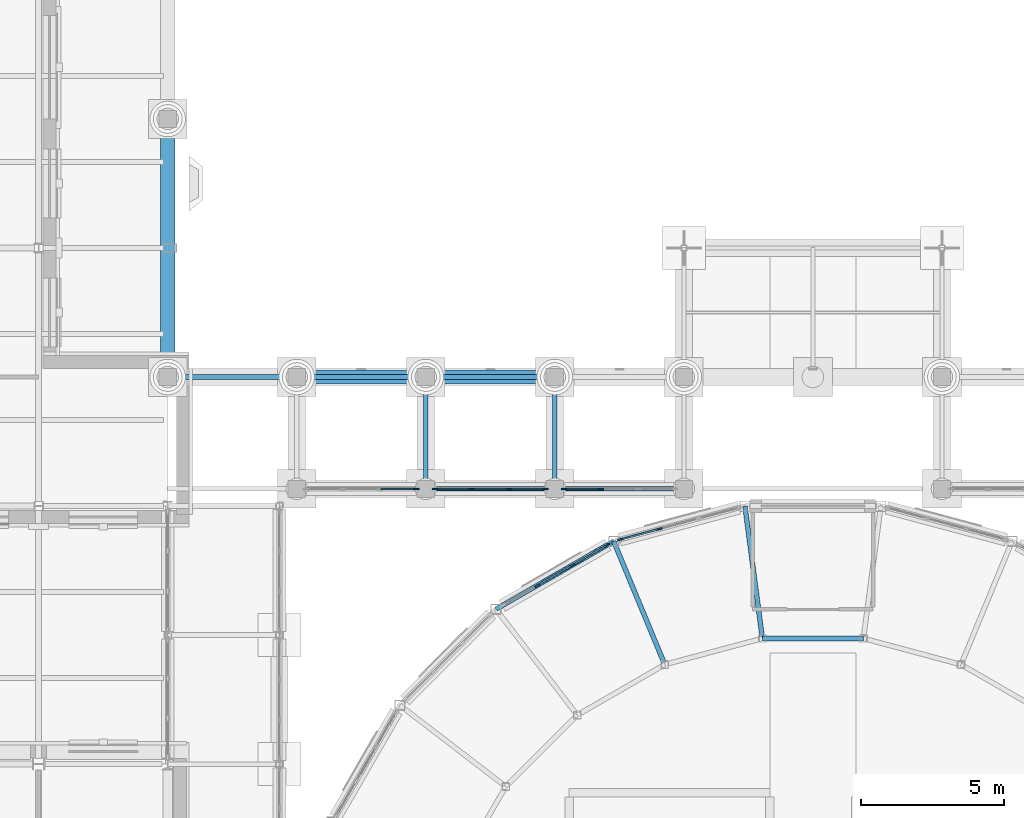
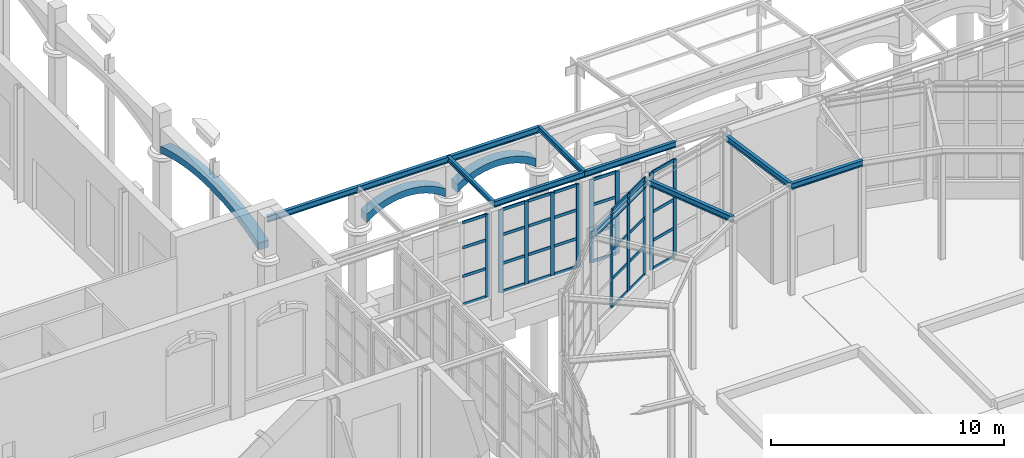
# One storey, part 34 of 106: 44 members, 14 beams, 5 elements without a shape of their own.
"""IFC4 building model written with IfcOpenShell, lengths in metres."""

import ifcopenshell
import ifcopenshell.guid

model = None  # the IFC model being written
_history = None  # IfcOwnerHistory: only IFC2X3 demands one
_inside = {}  # id of a spatial element -> (the spatial element, [elements in it])
_under = {}  # id of a project, library or spatial element -> (it, [spatial elements below it])
_declared = {}  # id of a project -> (the project, [libraries it declares])
_typed = {}  # id of a type object -> (the type object, [elements of that type])
_made_of = {}  # id of a material, layer set ... -> (it, [elements and type objects made of it])


def new_model(schema):
    """Start an empty IFC model of exactly this schema.

    Asked for "IFC4X3", IfcOpenShell would pick the latest addendum, in which some entities
    have other attributes; the version numbers below select the first issue.
    IFC2X3 requires an IfcOwnerHistory on every rooted entity: one is made here for all.
    """
    global model, _history
    if schema == "IFC4X3":
        model = ifcopenshell.file(schema_version=(4, 3, 0, 0))
    else:
        model = ifcopenshell.file(schema=schema)
    _inside.clear()
    _under.clear()
    _declared.clear()
    _typed.clear()
    _made_of.clear()
    _history = None
    if model.schema == "IFC2X3":
        org = make("IfcOrganization", Name="unknown")
        user = make(
            "IfcPersonAndOrganization",
            ThePerson=make("IfcPerson", FamilyName="unknown"),
            TheOrganization=org,
        )
        app = make(
            "IfcApplication",
            ApplicationDeveloper=org,
            Version="unknown",
            ApplicationFullName="unknown",
            ApplicationIdentifier="unknown",
        )
        _history = make(
            "IfcOwnerHistory",
            OwningUser=user,
            OwningApplication=app,
            ChangeAction="ADDED",
            CreationDate=0,
        )
    return model


def make(cls, **values):
    """One entity of the class cls with the attributes given. An attribute that is None is left unset."""
    return model.create_entity(
        cls, **{name: value for name, value in values.items() if value is not None}
    )


def rooted(cls, **values):
    """An entity with a GlobalId (a new one), such as an element, a storey or a relation."""
    return make(cls, GlobalId=ifcopenshell.guid.new(), OwnerHistory=_history, **values)


def si_unit(unit_type, name, prefix=None):
    """IfcSIUnit, for example si_unit("LENGTHUNIT", "METRE", prefix="MILLI")."""
    return make("IfcSIUnit", UnitType=unit_type, Prefix=prefix, Name=name)


def assignment(units):
    """IfcUnitAssignment: the units of a project."""
    return None if units is None else make("IfcUnitAssignment", Units=units)


def point(xyz):
    """IfcCartesianPoint."""
    return None if xyz is None else make("IfcCartesianPoint", Coordinates=xyz)


def direction(xyz):
    """IfcDirection."""
    return None if xyz is None else make("IfcDirection", DirectionRatios=xyz)


def frame(location, z_axis=None, x_axis=None):
    """IfcAxis2Placement3D, a coordinate frame: its origin and axes. An axis left out is left unset."""
    return make(
        "IfcAxis2Placement3D",
        Location=point(location),
        Axis=direction(z_axis),
        RefDirection=direction(x_axis),
    )


def frame_2d(location, x_axis=None):
    """IfcAxis2Placement2D, a coordinate frame in the plane: its origin and x axis."""
    return make(
        "IfcAxis2Placement2D", Location=point(location), RefDirection=direction(x_axis)
    )


def origin():
    """The frame at (0, 0, 0) with its axes left unset."""
    return frame((0.0, 0.0, 0.0))


def origin_2d():
    """The frame at (0, 0) in the plane with its x axis left unset."""
    return frame_2d((0.0, 0.0))


def place(relative_to, where):
    """IfcLocalPlacement: puts the frame where relative to a parent placement (None: the world)."""
    return make(
        "IfcLocalPlacement", PlacementRelTo=relative_to, RelativePlacement=where
    )


def context(
    kind, dimensions, precision=None, world=None, true_north=None, identifier=None
):
    """IfcGeometricRepresentationContext, for example the 3D "Model" context."""
    return make(
        "IfcGeometricRepresentationContext",
        ContextIdentifier=identifier,
        ContextType=kind,
        CoordinateSpaceDimension=dimensions,
        Precision=precision,
        WorldCoordinateSystem=world,
        TrueNorth=true_north,
    )


def subcontext(parent, identifier, kind, view, scale=None):
    """IfcGeometricRepresentationSubContext, for example "Body" below "Model"."""
    return make(
        "IfcGeometricRepresentationSubContext",
        ContextIdentifier=identifier,
        ContextType=kind,
        ParentContext=parent,
        TargetScale=scale,
        TargetView=view,
    )


def project(units=None, contexts=None):
    """IfcProject with its units and contexts."""
    return rooted(
        "IfcProject",
        Name="project",
        RepresentationContexts=contexts,
        UnitsInContext=assignment(units),
    )


def spatial(cls, under=None, at=None, **own):
    """A site, building, storey or space (cls), placed at a placement, below another one or the project."""
    s = rooted(cls, ObjectPlacement=at, **own)
    if under is not None:
        _under.setdefault(under.id(), (under, []))[1].append(s)
    return s


def polyline(points):
    """IfcPolyline through the points."""
    return make("IfcPolyline", Points=[point(p) for p in points])


def profile(cls, at=None, kind="AREA", **sizes):
    """A parametric profile (cls). Its sizes go by their IFC names, for example OverallWidth=200.0."""
    return make(cls, ProfileType=kind, Position=at, **sizes)


def rectangle(**sizes):
    """IfcRectangleProfileDef."""
    return profile("IfcRectangleProfileDef", **sizes)


def i_section(**sizes):
    """IfcIShapeProfileDef."""
    return profile("IfcIShapeProfileDef", **sizes)


def outline(outer, holes=None, kind="AREA"):
    """IfcArbitraryClosedProfileDef: a profile drawn as a closed curve; with holes, ...WithVoids."""
    if holes is None:
        return make("IfcArbitraryClosedProfileDef", ProfileType=kind, OuterCurve=outer)
    return make(
        "IfcArbitraryProfileDefWithVoids",
        ProfileType=kind,
        OuterCurve=outer,
        InnerCurves=holes,
    )


def extrude(swept, where, along, depth):
    """IfcExtrudedAreaSolid: the profile swept, set in the frame where, extruded along a direction by depth."""
    return make(
        "IfcExtrudedAreaSolid",
        SweptArea=swept,
        Position=where,
        ExtrudedDirection=direction(along),
        Depth=depth,
    )


def shape(context_of_items, identifier, shape_type, items):
    """IfcShapeRepresentation: the items that make up one representation, for example the "Body"."""
    return make(
        "IfcShapeRepresentation",
        ContextOfItems=context_of_items,
        RepresentationIdentifier=identifier,
        RepresentationType=shape_type,
        Items=items,
    )


def material(Name=None, Category=None):
    """IfcMaterial."""
    return make("IfcMaterial", Name=Name, Category=Category)


def layer(
    of_material, thickness, ventilated=None, Name=None, Category=None, Priority=None
):
    """IfcMaterialLayer: one layer of a wall or slab, of a material (None: an air gap)."""
    return make(
        "IfcMaterialLayer",
        Material=of_material,
        LayerThickness=thickness,
        IsVentilated=ventilated,
        Name=Name,
        Category=Category,
        Priority=Priority,
    )


def layer_set(layers, Name=None):
    """IfcMaterialLayerSet."""
    return make("IfcMaterialLayerSet", MaterialLayers=layers, LayerSetName=Name)


def material_profile(
    of_material, cross_section, Name=None, Category=None, Priority=None
):
    """IfcMaterialProfile: a cross section and its material."""
    return make(
        "IfcMaterialProfile",
        Name=Name,
        Material=of_material,
        Profile=cross_section,
        Priority=Priority,
        Category=Category,
    )


def profile_set(profiles, Name=None, composite=None):
    """IfcMaterialProfileSet."""
    return make(
        "IfcMaterialProfileSet",
        Name=Name,
        MaterialProfiles=profiles,
        CompositeProfile=composite,
    )


def made_of(thing, what):
    """Note that an element or type object is made of a material, layer set ...; save() writes the relation."""
    if what is not None:
        _made_of.setdefault(what.id(), (what, []))[1].append(thing)
    return thing


def type_object(cls, material=None, **own):
    """A type object (cls), such as IfcWallType, which elements share."""
    return made_of(rooted(cls, **own), material)


def element(
    cls,
    number,
    at=None,
    inside=None,
    cuts=None,
    type_object=None,
    material=None,
    context=None,
    identifier="Body",
    shape_type=None,
    held_by="IfcProductDefinitionShape",
    body=None,
    shapes=None,
    **own,
):
    """One element of the class cls, such as IfcWall. Its Tag is "e" and its number.

    at: its placement. inside: the storey or other place that contains it. cuts: it is an
    opening in that element (IfcRelVoidsElement). A single representation is given by context,
    identifier, shape_type and body (its items); several are given by shapes. held_by: the class
    of the entity that holds the representations. save() writes the other relations.
    """
    e = rooted(cls, Tag="e%d" % number, ObjectPlacement=at, **own)
    if body is not None:
        shapes = [shape(context, identifier, shape_type, body)]
    if shapes is not None:
        e.Representation = make(held_by, Representations=shapes)
    if inside is not None:
        _inside.setdefault(inside.id(), (inside, []))[1].append(e)
    if cuts is not None:
        rooted(
            "IfcRelVoidsElement", RelatingBuildingElement=cuts, RelatedOpeningElement=e
        )
    if type_object is not None:
        _typed.setdefault(type_object.id(), (type_object, []))[1].append(e)
    return made_of(e, material)


def aggregate(whole, parts):
    """IfcRelAggregates: a whole, such as a stair, and the parts it consists of."""
    return rooted("IfcRelAggregates", RelatingObject=whole, RelatedObjects=parts)


def save(model, path):
    """Write the relations noted so far, then the file.

    IfcRelAggregates (storeys below a building ...), IfcRelContainedInSpatialStructure (elements
    in a storey), IfcRelDefinesByType, IfcRelAssociatesMaterial and IfcRelDeclares: one each for
    every whole, place, type object, material and project.
    """
    for whole, parts in _under.values():
        aggregate(whole, parts)
    for where, things in _inside.values():
        rooted(
            "IfcRelContainedInSpatialStructure",
            RelatedElements=things,
            RelatingStructure=where,
        )
    for kind, things in _typed.values():
        rooted("IfcRelDefinesByType", RelatedObjects=things, RelatingType=kind)
    for what, things in _made_of.values():
        rooted("IfcRelAssociatesMaterial", RelatedObjects=things, RelatingMaterial=what)
    for by, libraries in _declared.values():
        rooted("IfcRelDeclares", RelatingContext=by, RelatedDefinitions=libraries)
    model.write(path)


model = new_model("IFC4")

# Units and contexts
model_context = context("Model", 3, precision=1e-05, world=origin(), true_north=direction((0.0, 1.0)))
body_context = subcontext(model_context, "Body", "Model", "MODEL_VIEW")
ifc_project = project(units=[si_unit("LENGTHUNIT", "METRE"), si_unit("AREAUNIT", "SQUARE_METRE"), si_unit("VOLUMEUNIT", "CUBIC_METRE"), si_unit("PLANEANGLEUNIT", "RADIAN"), si_unit("MASSUNIT", "GRAM", prefix="KILO")], contexts=[model_context])

# Site, building, storey
site_placement = place(None, origin())
site = spatial("IfcSite", under=ifc_project, at=site_placement, CompositionType="ELEMENT")
building_placement = place(site_placement, origin())
building = spatial("IfcBuilding", under=site, at=building_placement, Name="Hortulan Conservatory and Botanical Research Centre", CompositionType="ELEMENT")
storey_placement = place(building_placement, origin())
storey = spatial("IfcBuildingStorey", under=building, at=storey_placement, Name="L00", CompositionType="ELEMENT", Elevation=0.0)

# Beams
ifc_material_1 = material(Name="Steel Grade 300PLUS (AS/NZS 3679.1, 280 MPa minimum yield)", Category="steel")
ifc_material_profile_1 = material_profile(ifc_material_1, i_section(OverallWidth=0.14599609375, OverallDepth=0.251953125, WebThickness=0.006103515625, FlangeThickness=0.008544921875, FilletRadius=0.0087890625, at=origin_2d()), Name="250UB31.4")
ifc_profile_set_1 = profile_set([ifc_material_profile_1], Name="Steel Grade 300PLUS (AS/NZS 3679.1, 280 MPa minimum yield)")
beam_type_1 = type_object("IfcBeamType", Name="Arcade Cross Beam 250UB31.4", PredefinedType="BEAM", material=ifc_profile_set_1)
for number, where, z_axis, x_axis, name in (
    (1, (40.5, 36.60009765625, 5.674072265625), (0.0, 1.0, 0.0), (-1.0, 0.0, 0.0), "Arcade cross beam 20"),
    (2, (45.0, 36.60009765625, 5.674072265625), (0.0, 1.0, 0.0), (-1.0, 0.0, 0.0), "Arcade cross beam 21"),
):
    element("IfcBeam", number, at=place(storey_placement, frame(where, z_axis=z_axis, x_axis=x_axis)), inside=storey, type_object=beam_type_1, Name=name, PredefinedType="BEAM", context=body_context, shape_type="SweptSolid", body=[
        extrude(i_section(OverallWidth=0.14599609375, OverallDepth=0.251953125, WebThickness=0.006103515625, FlangeThickness=0.008544921875, FilletRadius=0.0087890625, at=origin_2d()), origin(), (0.0, 0.0, 1.0), 3.89990234375),
    ])
ifc_material_profile_2 = material_profile(ifc_material_1, i_section(OverallWidth=0.1650390625, OverallDepth=0.303955078125, WebThickness=0.006103515625, FlangeThickness=0.01025390625, FilletRadius=0.011474609375, at=origin_2d()), Name="310UB40.4")
ifc_profile_set_2 = profile_set([ifc_material_profile_2], Name="Steel Grade 300PLUS (AS/NZS 3679.1, 280 MPa minimum yield)")
beam_type_2 = type_object("IfcBeamType", Name="Arcade Front Beam 310UB40.4", PredefinedType="BEAM", material=ifc_profile_set_2)
for number, where, z_axis, x_axis, name in (
    (3, (31.5, 40.5, 5.64794921875), (1.0, 0.0, 0.0), (0.0, 1.0, 0.0), "Arcade front beam 01"),
    (4, (36.0, 40.5, 5.64794921875), (1.0, 0.0, 0.0), (0.0, 1.0, 0.0), "Arcade front beam 02"),
    (5, (40.5, 40.5, 5.64794921875), (1.0, 0.0, 0.0), (0.0, 1.0, 0.0), "Arcade front beam 03"),
):
    element("IfcBeam", number, at=place(storey_placement, frame(where, z_axis=z_axis, x_axis=x_axis)), inside=storey, type_object=beam_type_2, Name=name, PredefinedType="BEAM", context=body_context, shape_type="SweptSolid", body=[
        extrude(i_section(OverallWidth=0.1650390625, OverallDepth=0.303955078125, WebThickness=0.006103515625, FlangeThickness=0.01025390625, FilletRadius=0.011474609375, at=origin_2d()), origin(), (0.0, 0.0, 1.0), 4.5),
    ])
ifc_material_profile_3 = material_profile(ifc_material_1, i_section(OverallWidth=0.14892578125, OverallDepth=0.298095703125, WebThickness=0.005615234375, FlangeThickness=0.008056640625, FilletRadius=0.012939453125, at=origin_2d()), Name="310UB32.0")
ifc_profile_set_3 = profile_set([ifc_material_profile_3], Name="Steel Grade 300PLUS (AS/NZS 3679.1, 280 MPa minimum yield)")
beam_type_3 = type_object("IfcBeamType", Name="Arcade Rear Beam 310UB32.0", PredefinedType="BEAM", material=ifc_profile_set_3)
for number, where, z_axis, x_axis, name in (
    (6, (40.5, 36.60009765625, 5.65087890625), (1.0, 0.0, 0.0), (0.0, 1.0, 0.0), "Arcade rear beam 12"),
    (7, (45.0, 36.60009765625, 5.65087890625), (1.0, 0.0, 0.0), (0.0, 1.0, 0.0), "Arcade rear beam 13"),
):
    element("IfcBeam", number, at=place(storey_placement, frame(where, z_axis=z_axis, x_axis=x_axis)), inside=storey, type_object=beam_type_3, Name=name, PredefinedType="BEAM", context=body_context, shape_type="SweptSolid", body=[
        extrude(i_section(OverallWidth=0.14892578125, OverallDepth=0.298095703125, WebThickness=0.005615234375, FlangeThickness=0.008056640625, FilletRadius=0.012939453125, at=origin_2d()), origin(), (0.0, 0.0, 1.0), 4.5),
    ])

# Curtain wall, members
ifc_material_2 = material(Name="Bronze-finished aluminium", Category="aluminium")
ifc_layer_1 = layer(ifc_material_2, 0.10009765625)
ifc_layer_set_1 = layer_set([ifc_layer_1], Name="Bronze-framed Curtain Wall 1500 module")
curtain_wall_type = type_object("IfcCurtainWallType", Name="Bronze-framed Curtain Wall 1500 module", PredefinedType="NOTDEFINED", material=ifc_layer_set_1)
curtain_wall_1_placement = place(storey_placement, origin())
curtain_wall_1 = element("IfcCurtainWall", 8, at=curtain_wall_1_placement, inside=storey, type_object=curtain_wall_type, Name="Curtain wall", PredefinedType="NOTDEFINED")
ifc_material_profile_4 = material_profile(ifc_material_2, rectangle(XDim=0.06005859375, YDim=0.199951171875, at=origin_2d()), Name="Bronze Mullion 60x200")
ifc_profile_set_4 = profile_set([ifc_material_profile_4], Name="Bronze-finished aluminium")
member_type_1 = type_object("IfcMemberType", Name="Bronze Mullion 60x200", PredefinedType="MULLION", material=ifc_profile_set_4)
member_1_placement = place(storey_placement, frame((47.2880859375, 34.83642578125, 0.89990234375), z_axis=(0.0, 0.0, 1.0), x_axis=(-0.258831936284, 0.965922372015, 0.0)))
member_1 = element("IfcMember", 9, at=member_1_placement, type_object=member_type_1, Name="CW1 mullion 1", PredefinedType="MULLION", context=body_context, shape_type="SweptSolid", body=[
    extrude(rectangle(XDim=0.06005859375, YDim=0.199951171875, at=origin_2d()), origin(), (0.0, 0.0, 1.0), 5.10009765625),
])
member_2_placement = place(storey_placement, frame((48.64697265625, 35.20068359375, 0.89990234375), z_axis=(0.0, 0.0, 1.0), x_axis=(-0.258831936284, 0.965922372015, 0.0)))
member_2 = element("IfcMember", 10, at=member_2_placement, type_object=member_type_1, Name="CW1 mullion 2", PredefinedType="MULLION", context=body_context, shape_type="SweptSolid", body=[
    extrude(rectangle(XDim=0.06005859375, YDim=0.199951171875, at=origin_2d()), origin(), (0.0, 0.0, 1.0), 5.10009765625),
])

curtain_wall_2_placement = place(storey_placement, origin())
curtain_wall_2 = element("IfcCurtainWall", 11, at=curtain_wall_2_placement, inside=storey, type_object=curtain_wall_type, Name="Curtain wall", PredefinedType="NOTDEFINED")
member_3_placement = place(storey_placement, frame((44.385009765625, 33.2333984375, 0.89990234375), z_axis=(0.0, 0.0, 1.0), x_axis=(-0.499981160235, 0.866036280655, 0.0)))
member_3 = element("IfcMember", 12, at=member_3_placement, type_object=member_type_1, Name="CW1 mullion 2", PredefinedType="MULLION", context=body_context, shape_type="SweptSolid", body=[
    extrude(rectangle(XDim=0.06005859375, YDim=0.199951171875, at=origin_2d()), origin(), (0.0, 0.0, 1.0), 5.10009765625),
])
member_4_placement = place(storey_placement, frame((45.614990234375, 33.943603515625, 0.89990234375), z_axis=(0.0, 0.0, 1.0), x_axis=(-0.499981160235, 0.866036280655, 0.0)))
member_4 = element("IfcMember", 13, at=member_4_placement, type_object=member_type_1, Name="CW1 mullion 3", PredefinedType="MULLION", context=body_context, shape_type="SweptSolid", body=[
    extrude(rectangle(XDim=0.06005859375, YDim=0.199951171875, at=origin_2d()), origin(), (0.0, 0.0, 1.0), 5.10009765625),
])
member_5_placement = place(storey_placement, frame((46.81884765625, 34.638671875, 0.89990234375), z_axis=(0.0, 0.0, 1.0), x_axis=(-0.499981160235, 0.866036280655, 0.0)))
member_5 = element("IfcMember", 14, at=member_5_placement, type_object=member_type_1, Name="CW1 mullion 4", PredefinedType="MULLION", context=body_context, shape_type="SweptSolid", body=[
    extrude(rectangle(XDim=0.06005859375, YDim=0.199951171875, at=origin_2d()), origin(), (0.0, 0.0, 1.0), 5.10009765625),
])

# Curtain wall, member
curtain_wall_3_placement = place(storey_placement, origin())
curtain_wall_3 = element("IfcCurtainWall", 15, at=curtain_wall_3_placement, inside=storey, type_object=curtain_wall_type, Name="Curtain wall", PredefinedType="NOTDEFINED")
member_6_placement = place(storey_placement, frame((40.169921875, 36.60009765625, 0.89990234375), z_axis=(0.0, 0.0, 1.0), x_axis=(0.0, 1.0, 0.0)))
member_6 = element("IfcMember", 16, at=member_6_placement, type_object=member_type_1, Name="CW1 mullion 4", PredefinedType="MULLION", context=body_context, shape_type="SweptSolid", body=[
    extrude(rectangle(XDim=0.06005859375, YDim=0.199951171875, at=origin_2d()), origin(), (0.0, 0.0, 1.0), 4.340087890625),
])

# Curtain wall, members
curtain_wall_4_placement = place(storey_placement, origin())
curtain_wall_4 = element("IfcCurtainWall", 17, at=curtain_wall_4_placement, inside=storey, type_object=curtain_wall_type, Name="Curtain wall", PredefinedType="NOTDEFINED")
member_7_placement = place(storey_placement, frame((40.830078125, 36.60009765625, 0.89990234375), z_axis=(0.0, 0.0, 1.0), x_axis=(0.0, 1.0, 0.0)))
member_7 = element("IfcMember", 18, at=member_7_placement, type_object=member_type_1, Name="CW1 mullion 1", PredefinedType="MULLION", context=body_context, shape_type="SweptSolid", body=[
    extrude(rectangle(XDim=0.06005859375, YDim=0.199951171875, at=origin_2d()), origin(), (0.0, 0.0, 1.0), 4.340087890625),
])
member_8_placement = place(storey_placement, frame((42.10009765625, 36.60009765625, 0.89990234375), z_axis=(0.0, 0.0, 1.0), x_axis=(0.0, 1.0, 0.0)))
member_8 = element("IfcMember", 19, at=member_8_placement, type_object=member_type_1, Name="CW1 mullion 2", PredefinedType="MULLION", context=body_context, shape_type="SweptSolid", body=[
    extrude(rectangle(XDim=0.06005859375, YDim=0.199951171875, at=origin_2d()), origin(), (0.0, 0.0, 1.0), 4.340087890625),
])
member_9_placement = place(storey_placement, frame((43.39990234375, 36.60009765625, 0.89990234375), z_axis=(0.0, 0.0, 1.0), x_axis=(0.0, 1.0, 0.0)))
member_9 = element("IfcMember", 20, at=member_9_placement, type_object=member_type_1, Name="CW1 mullion 3", PredefinedType="MULLION", context=body_context, shape_type="SweptSolid", body=[
    extrude(rectangle(XDim=0.06005859375, YDim=0.199951171875, at=origin_2d()), origin(), (0.0, 0.0, 1.0), 4.340087890625),
])
member_10_placement = place(storey_placement, frame((44.669921875, 36.60009765625, 0.89990234375), z_axis=(0.0, 0.0, 1.0), x_axis=(0.0, 1.0, 0.0)))
member_10 = element("IfcMember", 21, at=member_10_placement, type_object=member_type_1, Name="CW1 mullion 4", PredefinedType="MULLION", context=body_context, shape_type="SweptSolid", body=[
    extrude(rectangle(XDim=0.06005859375, YDim=0.199951171875, at=origin_2d()), origin(), (0.0, 0.0, 1.0), 4.340087890625),
])

curtain_wall_5_placement = place(storey_placement, origin())
curtain_wall_5 = element("IfcCurtainWall", 22, at=curtain_wall_5_placement, inside=storey, type_object=curtain_wall_type, Name="Curtain wall", PredefinedType="NOTDEFINED")
member_11_placement = place(storey_placement, frame((45.330078125, 36.60009765625, 0.89990234375), z_axis=(0.0, 0.0, 1.0), x_axis=(0.0, 1.0, 0.0)))
member_11 = element("IfcMember", 23, at=member_11_placement, type_object=member_type_1, Name="CW1 mullion 1", PredefinedType="MULLION", context=body_context, shape_type="SweptSolid", body=[
    extrude(rectangle(XDim=0.06005859375, YDim=0.199951171875, at=origin_2d()), origin(), (0.0, 0.0, 1.0), 4.340087890625),
])
member_12_placement = place(storey_placement, frame((46.60009765625, 36.60009765625, 0.89990234375), z_axis=(0.0, 0.0, 1.0), x_axis=(0.0, 1.0, 0.0)))
member_12 = element("IfcMember", 24, at=member_12_placement, type_object=member_type_1, Name="CW1 mullion 2", PredefinedType="MULLION", context=body_context, shape_type="SweptSolid", body=[
    extrude(rectangle(XDim=0.06005859375, YDim=0.199951171875, at=origin_2d()), origin(), (0.0, 0.0, 1.0), 4.340087890625),
])

# Member
ifc_material_profile_5 = material_profile(ifc_material_2, rectangle(XDim=0.06005859375, YDim=0.14990234375, at=origin_2d()), Name="Bronze Transom 60x150")
ifc_profile_set_5 = profile_set([ifc_material_profile_5], Name="Bronze-finished aluminium")
member_type_2 = type_object("IfcMemberType", Name="Bronze Transom 60x150", PredefinedType="USERDEFINED", material=ifc_profile_set_5)
member_13_placement = place(storey_placement, frame((47.31689453125, 34.84423828125, 0.929931640625), z_axis=(0.965921351189, 0.258835745824, 0.0), x_axis=(-0.258835745824, 0.965921351189, 0.0)))
member_13 = element("IfcMember", 25, at=member_13_placement, type_object=member_type_2, Name="CW1 transom 1.1", ObjectType="TRANSOM", PredefinedType="USERDEFINED", context=body_context, shape_type="SweptSolid", body=[
    extrude(rectangle(XDim=0.06005859375, YDim=0.14990234375, at=origin_2d()), origin(), (0.0, 0.0, 1.0), 1.346923828125),
])

member_14_placement = place(storey_placement, frame((47.31689453125, 34.84423828125, 2.39990234375), z_axis=(0.965921351189, 0.258835745824, 0.0), x_axis=(-0.258835745824, 0.965921351189, 0.0)))
member_14 = element("IfcMember", 26, at=member_14_placement, type_object=member_type_2, Name="CW1 transom 1.2", ObjectType="TRANSOM", PredefinedType="USERDEFINED", context=body_context, shape_type="SweptSolid", body=[
    extrude(rectangle(XDim=0.06005859375, YDim=0.14990234375, at=origin_2d()), origin(), (0.0, 0.0, 1.0), 1.346923828125),
])

member_15_placement = place(storey_placement, frame((47.31689453125, 34.84423828125, 3.89990234375), z_axis=(0.965921351189, 0.258835745824, 0.0), x_axis=(-0.258835745824, 0.965921351189, 0.0)))
member_15 = element("IfcMember", 27, at=member_15_placement, type_object=member_type_2, Name="CW1 transom 1.3", ObjectType="TRANSOM", PredefinedType="USERDEFINED", context=body_context, shape_type="SweptSolid", body=[
    extrude(rectangle(XDim=0.06005859375, YDim=0.14990234375, at=origin_2d()), origin(), (0.0, 0.0, 1.0), 1.346923828125),
])

member_16_placement = place(storey_placement, frame((47.31689453125, 34.84423828125, 5.969970703125), z_axis=(0.965921351189, 0.258835745824, 0.0), x_axis=(-0.258835745824, 0.965921351189, 0.0)))
member_16 = element("IfcMember", 28, at=member_16_placement, type_object=member_type_2, Name="CW1 transom 1.4", ObjectType="TRANSOM", PredefinedType="USERDEFINED", context=body_context, shape_type="SweptSolid", body=[
    extrude(rectangle(XDim=0.06005859375, YDim=0.14990234375, at=origin_2d()), origin(), (0.0, 0.0, 1.0), 1.346923828125),
])

aggregate(curtain_wall_1, [member_1, member_2, member_13, member_14, member_15, member_16])

member_17_placement = place(storey_placement, frame((44.4111328125, 33.24853515625, 0.929931640625), z_axis=(0.866036107898, 0.499981459473, 0.0), x_axis=(-0.499981459473, 0.866036107898, 0.0)))
member_17 = element("IfcMember", 29, at=member_17_placement, type_object=member_type_2, Name="CW1 transom 2.1", ObjectType="TRANSOM", PredefinedType="USERDEFINED", context=body_context, shape_type="SweptSolid", body=[
    extrude(rectangle(XDim=0.06005859375, YDim=0.14990234375, at=origin_2d()), origin(), (0.0, 0.0, 1.0), 1.35986328125),
])

member_18_placement = place(storey_placement, frame((44.4111328125, 33.24853515625, 2.39990234375), z_axis=(0.866036107898, 0.499981459473, 0.0), x_axis=(-0.499981459473, 0.866036107898, 0.0)))
member_18 = element("IfcMember", 30, at=member_18_placement, type_object=member_type_2, Name="CW1 transom 2.2", ObjectType="TRANSOM", PredefinedType="USERDEFINED", context=body_context, shape_type="SweptSolid", body=[
    extrude(rectangle(XDim=0.06005859375, YDim=0.14990234375, at=origin_2d()), origin(), (0.0, 0.0, 1.0), 1.35986328125),
])

member_19_placement = place(storey_placement, frame((44.4111328125, 33.24853515625, 3.89990234375), z_axis=(0.866036107898, 0.499981459473, 0.0), x_axis=(-0.499981459473, 0.866036107898, 0.0)))
member_19 = element("IfcMember", 31, at=member_19_placement, type_object=member_type_2, Name="CW1 transom 2.3", ObjectType="TRANSOM", PredefinedType="USERDEFINED", context=body_context, shape_type="SweptSolid", body=[
    extrude(rectangle(XDim=0.06005859375, YDim=0.14990234375, at=origin_2d()), origin(), (0.0, 0.0, 1.0), 1.35986328125),
])

member_20_placement = place(storey_placement, frame((44.4111328125, 33.24853515625, 5.969970703125), z_axis=(0.866036107898, 0.499981459473, 0.0), x_axis=(-0.499981459473, 0.866036107898, 0.0)))
member_20 = element("IfcMember", 32, at=member_20_placement, type_object=member_type_2, Name="CW1 transom 2.4", ObjectType="TRANSOM", PredefinedType="USERDEFINED", context=body_context, shape_type="SweptSolid", body=[
    extrude(rectangle(XDim=0.06005859375, YDim=0.14990234375, at=origin_2d()), origin(), (0.0, 0.0, 1.0), 1.35986328125),
])

member_21_placement = place(storey_placement, frame((45.640869140625, 33.95849609375, 0.929931640625), z_axis=(0.866066400931, 0.499928984136, 0.0), x_axis=(-0.499928984136, 0.866066400931, 0.0)))
member_21 = element("IfcMember", 33, at=member_21_placement, type_object=member_type_2, Name="CW1 transom 3.1", ObjectType="TRANSOM", PredefinedType="USERDEFINED", context=body_context, shape_type="SweptSolid", body=[
    extrude(rectangle(XDim=0.06005859375, YDim=0.14990234375, at=origin_2d()), origin(), (0.0, 0.0, 1.0), 1.330322265625),
])

member_22_placement = place(storey_placement, frame((45.640869140625, 33.95849609375, 2.39990234375), z_axis=(0.866066400931, 0.499928984136, 0.0), x_axis=(-0.499928984136, 0.866066400931, 0.0)))
member_22 = element("IfcMember", 34, at=member_22_placement, type_object=member_type_2, Name="CW1 transom 3.2", ObjectType="TRANSOM", PredefinedType="USERDEFINED", context=body_context, shape_type="SweptSolid", body=[
    extrude(rectangle(XDim=0.06005859375, YDim=0.14990234375, at=origin_2d()), origin(), (0.0, 0.0, 1.0), 1.330322265625),
])

member_23_placement = place(storey_placement, frame((45.640869140625, 33.95849609375, 3.89990234375), z_axis=(0.866066400931, 0.499928984136, 0.0), x_axis=(-0.499928984136, 0.866066400931, 0.0)))
member_23 = element("IfcMember", 35, at=member_23_placement, type_object=member_type_2, Name="CW1 transom 3.3", ObjectType="TRANSOM", PredefinedType="USERDEFINED", context=body_context, shape_type="SweptSolid", body=[
    extrude(rectangle(XDim=0.06005859375, YDim=0.14990234375, at=origin_2d()), origin(), (0.0, 0.0, 1.0), 1.330322265625),
])

member_24_placement = place(storey_placement, frame((45.640869140625, 33.95849609375, 5.969970703125), z_axis=(0.866066400931, 0.499928984136, 0.0), x_axis=(-0.499928984136, 0.866066400931, 0.0)))
member_24 = element("IfcMember", 36, at=member_24_placement, type_object=member_type_2, Name="CW1 transom 3.4", ObjectType="TRANSOM", PredefinedType="USERDEFINED", context=body_context, shape_type="SweptSolid", body=[
    extrude(rectangle(XDim=0.06005859375, YDim=0.14990234375, at=origin_2d()), origin(), (0.0, 0.0, 1.0), 1.330322265625),
])

aggregate(curtain_wall_2, [member_3, member_4, member_5, member_17, member_18, member_19, member_20, member_21, member_22, member_23, member_24])

member_25_placement = place(storey_placement, frame((38.929931640625, 36.60009765625, 0.929931640625), z_axis=(1.0, 0.0, 0.0), x_axis=(0.0, 1.0, 0.0)))
member_25 = element("IfcMember", 37, at=member_25_placement, type_object=member_type_2, Name="CW1 transom 3.1", ObjectType="TRANSOM", PredefinedType="USERDEFINED", context=body_context, shape_type="SweptSolid", body=[
    extrude(rectangle(XDim=0.06005859375, YDim=0.14990234375, at=origin_2d()), origin(), (0.0, 0.0, 1.0), 1.2099609375),
])

member_26_placement = place(storey_placement, frame((38.929931640625, 36.60009765625, 2.39990234375), z_axis=(1.0, 0.0, 0.0), x_axis=(0.0, 1.0, 0.0)))
member_26 = element("IfcMember", 38, at=member_26_placement, type_object=member_type_2, Name="CW1 transom 3.2", ObjectType="TRANSOM", PredefinedType="USERDEFINED", context=body_context, shape_type="SweptSolid", body=[
    extrude(rectangle(XDim=0.06005859375, YDim=0.14990234375, at=origin_2d()), origin(), (0.0, 0.0, 1.0), 1.2099609375),
])

member_27_placement = place(storey_placement, frame((38.929931640625, 36.60009765625, 3.89990234375), z_axis=(1.0, 0.0, 0.0), x_axis=(0.0, 1.0, 0.0)))
member_27 = element("IfcMember", 39, at=member_27_placement, type_object=member_type_2, Name="CW1 transom 3.3", ObjectType="TRANSOM", PredefinedType="USERDEFINED", context=body_context, shape_type="SweptSolid", body=[
    extrude(rectangle(XDim=0.06005859375, YDim=0.14990234375, at=origin_2d()), origin(), (0.0, 0.0, 1.0), 1.2099609375),
])

member_28_placement = place(storey_placement, frame((38.929931640625, 36.60009765625, 5.2099609375), z_axis=(1.0, 0.0, 0.0), x_axis=(0.0, 1.0, 0.0)))
member_28 = element("IfcMember", 40, at=member_28_placement, type_object=member_type_2, Name="CW1 transom 3.4", ObjectType="TRANSOM", PredefinedType="USERDEFINED", context=body_context, shape_type="SweptSolid", body=[
    extrude(rectangle(XDim=0.06005859375, YDim=0.14990234375, at=origin_2d()), origin(), (0.0, 0.0, 1.0), 1.2099609375),
])

aggregate(curtain_wall_3, [member_6, member_25, member_26, member_27, member_28])

member_29_placement = place(storey_placement, frame((40.860107421875, 36.60009765625, 0.929931640625), z_axis=(1.0, 0.0, 0.0), x_axis=(0.0, 1.0, 0.0)))
member_29 = element("IfcMember", 41, at=member_29_placement, type_object=member_type_2, Name="CW1 transom 1.1", ObjectType="TRANSOM", PredefinedType="USERDEFINED", context=body_context, shape_type="SweptSolid", body=[
    extrude(rectangle(XDim=0.06005859375, YDim=0.14990234375, at=origin_2d()), origin(), (0.0, 0.0, 1.0), 1.2099609375),
])

member_30_placement = place(storey_placement, frame((40.860107421875, 36.60009765625, 2.39990234375), z_axis=(1.0, 0.0, 0.0), x_axis=(0.0, 1.0, 0.0)))
member_30 = element("IfcMember", 42, at=member_30_placement, type_object=member_type_2, Name="CW1 transom 1.2", ObjectType="TRANSOM", PredefinedType="USERDEFINED", context=body_context, shape_type="SweptSolid", body=[
    extrude(rectangle(XDim=0.06005859375, YDim=0.14990234375, at=origin_2d()), origin(), (0.0, 0.0, 1.0), 1.2099609375),
])

member_31_placement = place(storey_placement, frame((40.860107421875, 36.60009765625, 3.89990234375), z_axis=(1.0, 0.0, 0.0), x_axis=(0.0, 1.0, 0.0)))
member_31 = element("IfcMember", 43, at=member_31_placement, type_object=member_type_2, Name="CW1 transom 1.3", ObjectType="TRANSOM", PredefinedType="USERDEFINED", context=body_context, shape_type="SweptSolid", body=[
    extrude(rectangle(XDim=0.06005859375, YDim=0.14990234375, at=origin_2d()), origin(), (0.0, 0.0, 1.0), 1.2099609375),
])

member_32_placement = place(storey_placement, frame((40.860107421875, 36.60009765625, 5.2099609375), z_axis=(1.0, 0.0, 0.0), x_axis=(0.0, 1.0, 0.0)))
member_32 = element("IfcMember", 44, at=member_32_placement, type_object=member_type_2, Name="CW1 transom 1.4", ObjectType="TRANSOM", PredefinedType="USERDEFINED", context=body_context, shape_type="SweptSolid", body=[
    extrude(rectangle(XDim=0.06005859375, YDim=0.14990234375, at=origin_2d()), origin(), (0.0, 0.0, 1.0), 1.2099609375),
])

member_33_placement = place(storey_placement, frame((42.1298828125, 36.60009765625, 0.929931640625), z_axis=(1.0, 0.0, 0.0), x_axis=(0.0, 1.0, 0.0)))
member_33 = element("IfcMember", 45, at=member_33_placement, type_object=member_type_2, Name="CW1 transom 2.1", ObjectType="TRANSOM", PredefinedType="USERDEFINED", context=body_context, shape_type="SweptSolid", body=[
    extrude(rectangle(XDim=0.06005859375, YDim=0.14990234375, at=origin_2d()), origin(), (0.0, 0.0, 1.0), 1.240234375),
])

member_34_placement = place(storey_placement, frame((42.1298828125, 36.60009765625, 2.39990234375), z_axis=(1.0, 0.0, 0.0), x_axis=(0.0, 1.0, 0.0)))
member_34 = element("IfcMember", 46, at=member_34_placement, type_object=member_type_2, Name="CW1 transom 2.2", ObjectType="TRANSOM", PredefinedType="USERDEFINED", context=body_context, shape_type="SweptSolid", body=[
    extrude(rectangle(XDim=0.06005859375, YDim=0.14990234375, at=origin_2d()), origin(), (0.0, 0.0, 1.0), 1.240234375),
])

member_35_placement = place(storey_placement, frame((42.1298828125, 36.60009765625, 3.89990234375), z_axis=(1.0, 0.0, 0.0), x_axis=(0.0, 1.0, 0.0)))
member_35 = element("IfcMember", 47, at=member_35_placement, type_object=member_type_2, Name="CW1 transom 2.3", ObjectType="TRANSOM", PredefinedType="USERDEFINED", context=body_context, shape_type="SweptSolid", body=[
    extrude(rectangle(XDim=0.06005859375, YDim=0.14990234375, at=origin_2d()), origin(), (0.0, 0.0, 1.0), 1.240234375),
])

member_36_placement = place(storey_placement, frame((42.1298828125, 36.60009765625, 5.2099609375), z_axis=(1.0, 0.0, 0.0), x_axis=(0.0, 1.0, 0.0)))
member_36 = element("IfcMember", 48, at=member_36_placement, type_object=member_type_2, Name="CW1 transom 2.4", ObjectType="TRANSOM", PredefinedType="USERDEFINED", context=body_context, shape_type="SweptSolid", body=[
    extrude(rectangle(XDim=0.06005859375, YDim=0.14990234375, at=origin_2d()), origin(), (0.0, 0.0, 1.0), 1.240234375),
])

member_37_placement = place(storey_placement, frame((43.429931640625, 36.60009765625, 0.929931640625), z_axis=(1.0, 0.0, 0.0), x_axis=(0.0, 1.0, 0.0)))
member_37 = element("IfcMember", 49, at=member_37_placement, type_object=member_type_2, Name="CW1 transom 3.1", ObjectType="TRANSOM", PredefinedType="USERDEFINED", context=body_context, shape_type="SweptSolid", body=[
    extrude(rectangle(XDim=0.06005859375, YDim=0.14990234375, at=origin_2d()), origin(), (0.0, 0.0, 1.0), 1.2099609375),
])

member_38_placement = place(storey_placement, frame((43.429931640625, 36.60009765625, 2.39990234375), z_axis=(1.0, 0.0, 0.0), x_axis=(0.0, 1.0, 0.0)))
member_38 = element("IfcMember", 50, at=member_38_placement, type_object=member_type_2, Name="CW1 transom 3.2", ObjectType="TRANSOM", PredefinedType="USERDEFINED", context=body_context, shape_type="SweptSolid", body=[
    extrude(rectangle(XDim=0.06005859375, YDim=0.14990234375, at=origin_2d()), origin(), (0.0, 0.0, 1.0), 1.2099609375),
])

member_39_placement = place(storey_placement, frame((43.429931640625, 36.60009765625, 3.89990234375), z_axis=(1.0, 0.0, 0.0), x_axis=(0.0, 1.0, 0.0)))
member_39 = element("IfcMember", 51, at=member_39_placement, type_object=member_type_2, Name="CW1 transom 3.3", ObjectType="TRANSOM", PredefinedType="USERDEFINED", context=body_context, shape_type="SweptSolid", body=[
    extrude(rectangle(XDim=0.06005859375, YDim=0.14990234375, at=origin_2d()), origin(), (0.0, 0.0, 1.0), 1.2099609375),
])

member_40_placement = place(storey_placement, frame((43.429931640625, 36.60009765625, 5.2099609375), z_axis=(1.0, 0.0, 0.0), x_axis=(0.0, 1.0, 0.0)))
member_40 = element("IfcMember", 52, at=member_40_placement, type_object=member_type_2, Name="CW1 transom 3.4", ObjectType="TRANSOM", PredefinedType="USERDEFINED", context=body_context, shape_type="SweptSolid", body=[
    extrude(rectangle(XDim=0.06005859375, YDim=0.14990234375, at=origin_2d()), origin(), (0.0, 0.0, 1.0), 1.2099609375),
])

aggregate(curtain_wall_4, [member_7, member_8, member_9, member_10, member_29, member_30, member_31, member_32, member_33, member_34, member_35, member_36, member_37, member_38, member_39, member_40])

member_41_placement = place(storey_placement, frame((45.360107421875, 36.60009765625, 0.929931640625), z_axis=(1.0, 0.0, 0.0), x_axis=(0.0, 1.0, 0.0)))
member_41 = element("IfcMember", 53, at=member_41_placement, type_object=member_type_2, Name="CW1 transom 1.1", ObjectType="TRANSOM", PredefinedType="USERDEFINED", context=body_context, shape_type="SweptSolid", body=[
    extrude(rectangle(XDim=0.06005859375, YDim=0.14990234375, at=origin_2d()), origin(), (0.0, 0.0, 1.0), 1.2099609375),
])

member_42_placement = place(storey_placement, frame((45.360107421875, 36.60009765625, 2.39990234375), z_axis=(1.0, 0.0, 0.0), x_axis=(0.0, 1.0, 0.0)))
member_42 = element("IfcMember", 54, at=member_42_placement, type_object=member_type_2, Name="CW1 transom 1.2", ObjectType="TRANSOM", PredefinedType="USERDEFINED", context=body_context, shape_type="SweptSolid", body=[
    extrude(rectangle(XDim=0.06005859375, YDim=0.14990234375, at=origin_2d()), origin(), (0.0, 0.0, 1.0), 1.2099609375),
])

member_43_placement = place(storey_placement, frame((45.360107421875, 36.60009765625, 3.89990234375), z_axis=(1.0, 0.0, 0.0), x_axis=(0.0, 1.0, 0.0)))
member_43 = element("IfcMember", 55, at=member_43_placement, type_object=member_type_2, Name="CW1 transom 1.3", ObjectType="TRANSOM", PredefinedType="USERDEFINED", context=body_context, shape_type="SweptSolid", body=[
    extrude(rectangle(XDim=0.06005859375, YDim=0.14990234375, at=origin_2d()), origin(), (0.0, 0.0, 1.0), 1.2099609375),
])

member_44_placement = place(storey_placement, frame((45.360107421875, 36.60009765625, 5.2099609375), z_axis=(1.0, 0.0, 0.0), x_axis=(0.0, 1.0, 0.0)))
member_44 = element("IfcMember", 56, at=member_44_placement, type_object=member_type_2, Name="CW1 transom 1.4", ObjectType="TRANSOM", PredefinedType="USERDEFINED", context=body_context, shape_type="SweptSolid", body=[
    extrude(rectangle(XDim=0.06005859375, YDim=0.14990234375, at=origin_2d()), origin(), (0.0, 0.0, 1.0), 1.2099609375),
])

aggregate(curtain_wall_5, [member_11, member_12, member_41, member_42, member_43, member_44])

# Beams
ifc_material_profile_6 = material_profile(ifc_material_1, i_section(OverallWidth=0.166015625, OverallDepth=0.306884765625, WebThickness=0.006591796875, FlangeThickness=0.01171875, FilletRadius=0.011474609375, at=origin_2d()), Name="310UB46.2")
ifc_profile_set_6 = profile_set([ifc_material_profile_6], Name="Steel Grade 300PLUS (AS/NZS 3679.1, 280 MPa minimum yield)")
beam_type_4 = type_object("IfcBeamType", Name="Dome Canopy Walk Beam 310UB46.2", PredefinedType="BEAM", material=ifc_profile_set_6)
for number, where, z_axis, x_axis, name in (
    (57, (52.23779296875, 31.384521484375, 5.646484375), (-0.130480288196, 0.991450903672, 0.0), (-0.991450903672, -0.130480288196, 0.0), "Canopy walk radial beam 07"),
    (58, (48.833740234375, 30.472412109375, 5.646484375), (-0.382693006879, 0.92387556656, 0.0), (-0.92387556656, -0.382693006879, 0.0), "Canopy walk radial beam 08"),
):
    element("IfcBeam", number, at=place(storey_placement, frame(where, z_axis=z_axis, x_axis=x_axis)), inside=storey, type_object=beam_type_4, Name=name, PredefinedType="BEAM", context=body_context, shape_type="SweptSolid", body=[
        extrude(i_section(OverallWidth=0.166015625, OverallDepth=0.306884765625, WebThickness=0.006591796875, FlangeThickness=0.01171875, FilletRadius=0.011474609375, at=origin_2d()), origin(), (0.0, 0.0, 1.0), 4.6552734375),
    ])
beam_1_placement = place(storey_placement, frame((47.05224609375, 34.773193359375, 5.646484375), z_axis=(-0.866034609785, -0.4999840544, 0.0), x_axis=(0.4999840544, -0.866034609785, 0.0)))
element("IfcBeam", 59, at=beam_1_placement, inside=storey, type_object=beam_type_4, Name="Canopy walk edge beam 08", PredefinedType="BEAM", context=body_context, shape_type="SweptSolid", body=[
    extrude(i_section(OverallWidth=0.166015625, OverallDepth=0.306884765625, WebThickness=0.006591796875, FlangeThickness=0.01171875, FilletRadius=0.011474609375, at=origin_2d()), origin(), (0.0, 0.0, 1.0), 4.739501953125),
])
beam_2_placement = place(storey_placement, frame((55.76220703125, 31.384521484375, 5.646484375), z_axis=(-1.0, 0.0, 0.0), x_axis=(0.0, -1.0, 0.0)))
element("IfcBeam", 60, at=beam_2_placement, inside=storey, type_object=beam_type_4, Name="Canopy walk inner beam 06", PredefinedType="BEAM", context=body_context, shape_type="SweptSolid", body=[
    extrude(i_section(OverallWidth=0.166015625, OverallDepth=0.306884765625, WebThickness=0.006591796875, FlangeThickness=0.01171875, FilletRadius=0.011474609375, at=origin_2d()), origin(), (0.0, 0.0, 1.0), 3.5244140625),
])
ifc_material_3 = material(Name="Sandstone masonry (Hawkesbury yellow block)", Category="masonry")
ifc_layer_2 = layer(ifc_material_3, 0.5)
ifc_layer_set_2 = layer_set([ifc_layer_2], Name="Sandstone Arch Ring 500")
beam_type_5 = type_object("IfcBeamType", Name="Sandstone Arch Ring 500", PredefinedType="BEAM", material=ifc_layer_set_2)
for number, where, z_axis, x_axis, name in (
    (61, (36.300048828125, 40.5, 3.89990234375), (0.0, 0.0, 1.0), (1.0, 0.0, 0.0), "Arch ring"),
    (62, (40.800048828125, 40.5, 3.89990234375), (0.0, 0.0, 1.0), (1.0, 0.0, 0.0), "Arch ring"),
):
    element("IfcBeam", number, at=place(storey_placement, frame(where, z_axis=z_axis, x_axis=x_axis)), inside=storey, type_object=beam_type_5, Name=name, PredefinedType="BEAM", context=body_context, shape_type="SweptSolid", body=[
        extrude(outline(polyline([(0.0, 0.0), (0.324951171875, 0.234130859375), (0.64990234375, 0.410888671875), (0.97509765625, 0.541015625), (1.300048828125, 0.63037109375), (1.625, 0.682861328125), (1.949951171875, 0.7001953125), (2.27490234375, 0.682861328125), (2.60009765625, 0.63037109375), (2.925048828125, 0.541015625), (3.25, 0.410888671875), (3.574951171875, 0.234130859375), (3.89990234375, 0.0), (3.89990234375, 0.43896484375), (3.574951171875, 0.638916015625), (3.25, 0.793212890625), (2.925048828125, 0.907958984375), (2.60009765625, 0.98779296875), (2.27490234375, 1.03466796875), (1.949951171875, 1.050048828125), (1.625, 1.03466796875), (1.300048828125, 0.98779296875), (0.97509765625, 0.907958984375), (0.64990234375, 0.793212890625), (0.324951171875, 0.638916015625), (0.0, 0.43896484375), (0.0, 0.0)])), frame((0.0, 0.25, 0.0), z_axis=(0.0, -1.0, 0.0), x_axis=(1.0, 0.0, 0.0)), (0.0, 0.0, 1.0), 0.5),
    ])
beam_3_placement = place(storey_placement, frame((31.5, 40.800048828125, 3.89990234375), z_axis=(0.0, 0.0, 1.0), x_axis=(0.0, 1.0, 0.0)))
element("IfcBeam", 63, at=beam_3_placement, inside=storey, type_object=beam_type_5, Name="Arch ring", PredefinedType="BEAM", context=body_context, shape_type="SweptSolid", body=[
    extrude(outline(polyline([(0.0, 0.0), (0.60009765625, 0.189697265625), (1.199951171875, 0.347900390625), (1.800048828125, 0.475830078125), (2.39990234375, 0.574462890625), (3.0, 0.644287109375), (3.60009765625, 0.686279296875), (4.199951171875, 0.7001953125), (4.800048828125, 0.686279296875), (5.39990234375, 0.644287109375), (6.0, 0.574462890625), (6.60009765625, 0.475830078125), (7.199951171875, 0.347900390625), (7.800048828125, 0.189697265625), (8.39990234375, 0.0), (8.39990234375, 0.369384765625), (7.800048828125, 0.5537109375), (7.199951171875, 0.707275390625), (6.60009765625, 0.831787109375), (6.0, 0.927734375), (5.39990234375, 0.995849609375), (4.800048828125, 1.03662109375), (4.199951171875, 1.050048828125), (3.60009765625, 1.03662109375), (3.0, 0.995849609375), (2.39990234375, 0.927734375), (1.800048828125, 0.831787109375), (1.199951171875, 0.707275390625), (0.60009765625, 0.5537109375), (0.0, 0.369384765625), (0.0, 0.0)])), frame((0.0, 0.25, 0.0), z_axis=(0.0, -1.0, 0.0), x_axis=(1.0, 0.0, 0.0)), (0.0, 0.0, 1.0), 0.5),
])

save(model, "model.ifc")
